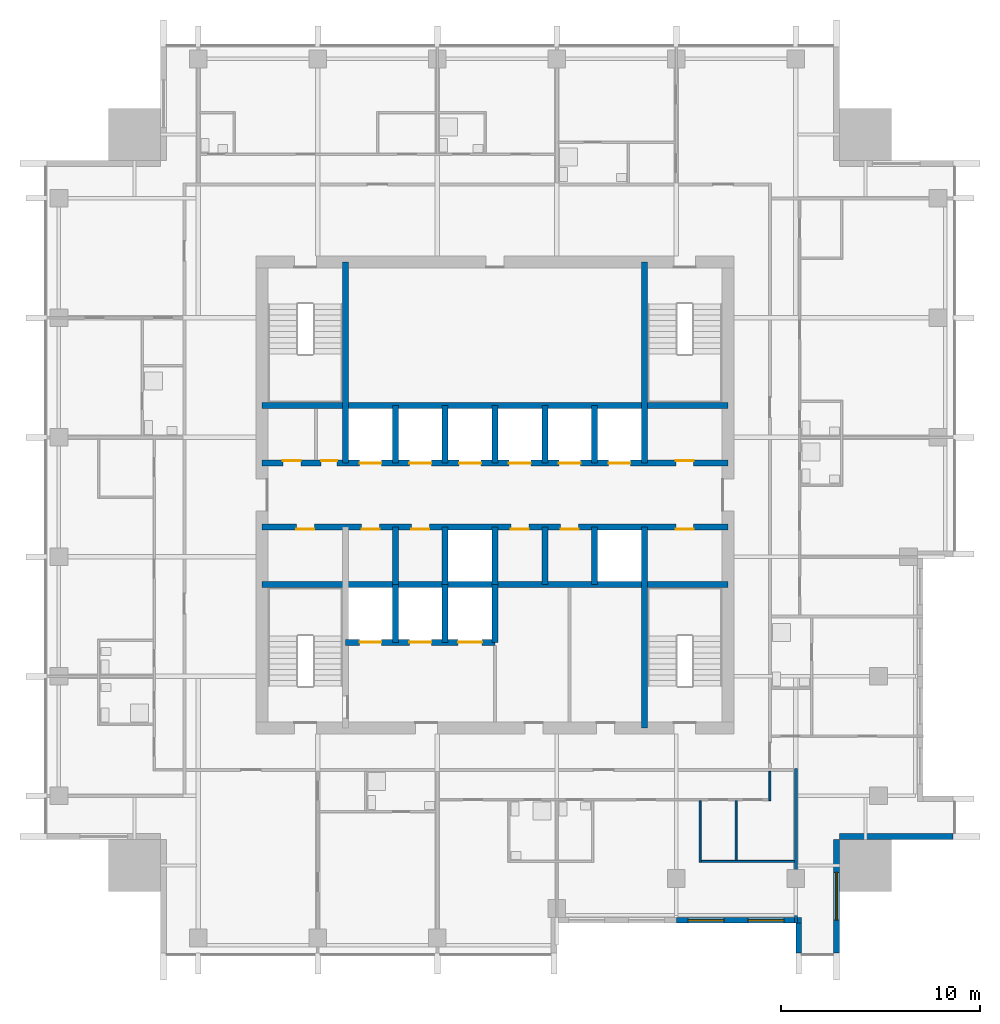
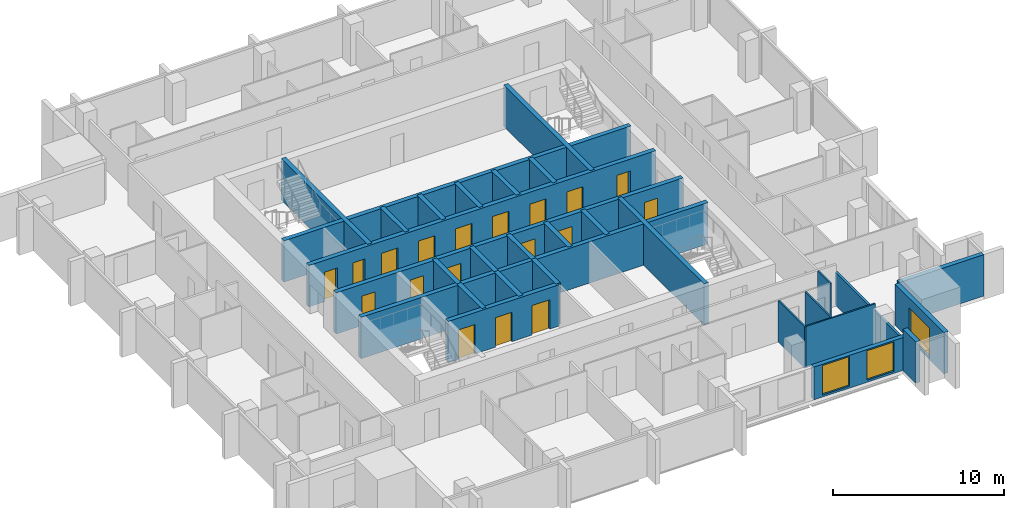
# One storey, part 5 of 10: 30 walls, 18 doors, 3 windows, 21 openings.
"""IFC4 building model written with IfcOpenShell, lengths in metres."""

import ifcopenshell
import ifcopenshell.guid

model = None  # the IFC model being written
_history = None  # IfcOwnerHistory: only IFC2X3 demands one
_inside = {}  # id of a spatial element -> (the spatial element, [elements in it])
_under = {}  # id of a project, library or spatial element -> (it, [spatial elements below it])
_declared = {}  # id of a project -> (the project, [libraries it declares])
_typed = {}  # id of a type object -> (the type object, [elements of that type])
_made_of = {}  # id of a material, layer set ... -> (it, [elements and type objects made of it])


def new_model(schema):
    """Start an empty IFC model of exactly this schema.

    Asked for "IFC4X3", IfcOpenShell would pick the latest addendum, in which some entities
    have other attributes; the version numbers below select the first issue.
    IFC2X3 requires an IfcOwnerHistory on every rooted entity: one is made here for all.
    """
    global model, _history
    if schema == "IFC4X3":
        model = ifcopenshell.file(schema_version=(4, 3, 0, 0))
    else:
        model = ifcopenshell.file(schema=schema)
    _inside.clear()
    _under.clear()
    _declared.clear()
    _typed.clear()
    _made_of.clear()
    _history = None
    if model.schema == "IFC2X3":
        org = make("IfcOrganization", Name="unknown")
        user = make(
            "IfcPersonAndOrganization",
            ThePerson=make("IfcPerson", FamilyName="unknown"),
            TheOrganization=org,
        )
        app = make(
            "IfcApplication",
            ApplicationDeveloper=org,
            Version="unknown",
            ApplicationFullName="unknown",
            ApplicationIdentifier="unknown",
        )
        _history = make(
            "IfcOwnerHistory",
            OwningUser=user,
            OwningApplication=app,
            ChangeAction="ADDED",
            CreationDate=0,
        )
    return model


def make(cls, **values):
    """One entity of the class cls with the attributes given. An attribute that is None is left unset."""
    return model.create_entity(
        cls, **{name: value for name, value in values.items() if value is not None}
    )


def rooted(cls, **values):
    """An entity with a GlobalId (a new one), such as an element, a storey or a relation."""
    return make(cls, GlobalId=ifcopenshell.guid.new(), OwnerHistory=_history, **values)


def si_unit(unit_type, name, prefix=None):
    """IfcSIUnit, for example si_unit("LENGTHUNIT", "METRE", prefix="MILLI")."""
    return make("IfcSIUnit", UnitType=unit_type, Prefix=prefix, Name=name)


def assignment(units):
    """IfcUnitAssignment: the units of a project."""
    return None if units is None else make("IfcUnitAssignment", Units=units)


def point(xyz):
    """IfcCartesianPoint."""
    return None if xyz is None else make("IfcCartesianPoint", Coordinates=xyz)


def direction(xyz):
    """IfcDirection."""
    return None if xyz is None else make("IfcDirection", DirectionRatios=xyz)


def frame(location, z_axis=None, x_axis=None):
    """IfcAxis2Placement3D, a coordinate frame: its origin and axes. An axis left out is left unset."""
    return make(
        "IfcAxis2Placement3D",
        Location=point(location),
        Axis=direction(z_axis),
        RefDirection=direction(x_axis),
    )


def frame_2d(location, x_axis=None):
    """IfcAxis2Placement2D, a coordinate frame in the plane: its origin and x axis."""
    return make(
        "IfcAxis2Placement2D", Location=point(location), RefDirection=direction(x_axis)
    )


def origin():
    """The frame at (0, 0, 0) with its axes left unset."""
    return frame((0.0, 0.0, 0.0))


def place(relative_to, where):
    """IfcLocalPlacement: puts the frame where relative to a parent placement (None: the world)."""
    return make(
        "IfcLocalPlacement", PlacementRelTo=relative_to, RelativePlacement=where
    )


def context(
    kind, dimensions, precision=None, world=None, true_north=None, identifier=None
):
    """IfcGeometricRepresentationContext, for example the 3D "Model" context."""
    return make(
        "IfcGeometricRepresentationContext",
        ContextIdentifier=identifier,
        ContextType=kind,
        CoordinateSpaceDimension=dimensions,
        Precision=precision,
        WorldCoordinateSystem=world,
        TrueNorth=true_north,
    )


def subcontext(parent, identifier, kind, view, scale=None):
    """IfcGeometricRepresentationSubContext, for example "Body" below "Model"."""
    return make(
        "IfcGeometricRepresentationSubContext",
        ContextIdentifier=identifier,
        ContextType=kind,
        ParentContext=parent,
        TargetScale=scale,
        TargetView=view,
    )


def project(units=None, contexts=None):
    """IfcProject with its units and contexts."""
    return rooted(
        "IfcProject",
        Name="project",
        RepresentationContexts=contexts,
        UnitsInContext=assignment(units),
    )


def spatial(cls, under=None, at=None, **own):
    """A site, building, storey or space (cls), placed at a placement, below another one or the project."""
    s = rooted(cls, ObjectPlacement=at, **own)
    if under is not None:
        _under.setdefault(under.id(), (under, []))[1].append(s)
    return s


def profile(cls, at=None, kind="AREA", **sizes):
    """A parametric profile (cls). Its sizes go by their IFC names, for example OverallWidth=200.0."""
    return make(cls, ProfileType=kind, Position=at, **sizes)


def rectangle(**sizes):
    """IfcRectangleProfileDef."""
    return profile("IfcRectangleProfileDef", **sizes)


def extrude(swept, where, along, depth):
    """IfcExtrudedAreaSolid: the profile swept, set in the frame where, extruded along a direction by depth."""
    return make(
        "IfcExtrudedAreaSolid",
        SweptArea=swept,
        Position=where,
        ExtrudedDirection=direction(along),
        Depth=depth,
    )


def shape(context_of_items, identifier, shape_type, items):
    """IfcShapeRepresentation: the items that make up one representation, for example the "Body"."""
    return make(
        "IfcShapeRepresentation",
        ContextOfItems=context_of_items,
        RepresentationIdentifier=identifier,
        RepresentationType=shape_type,
        Items=items,
    )


def material(Name=None, Category=None):
    """IfcMaterial."""
    return make("IfcMaterial", Name=Name, Category=Category)


def layer(
    of_material, thickness, ventilated=None, Name=None, Category=None, Priority=None
):
    """IfcMaterialLayer: one layer of a wall or slab, of a material (None: an air gap)."""
    return make(
        "IfcMaterialLayer",
        Material=of_material,
        LayerThickness=thickness,
        IsVentilated=ventilated,
        Name=Name,
        Category=Category,
        Priority=Priority,
    )


def layer_set(layers, Name=None):
    """IfcMaterialLayerSet."""
    return make("IfcMaterialLayerSet", MaterialLayers=layers, LayerSetName=Name)


def made_of(thing, what):
    """Note that an element or type object is made of a material, layer set ...; save() writes the relation."""
    if what is not None:
        _made_of.setdefault(what.id(), (what, []))[1].append(thing)
    return thing


def type_object(cls, material=None, **own):
    """A type object (cls), such as IfcWallType, which elements share."""
    return made_of(rooted(cls, **own), material)


def element(
    cls,
    number,
    at=None,
    inside=None,
    cuts=None,
    type_object=None,
    material=None,
    context=None,
    identifier="Body",
    shape_type=None,
    held_by="IfcProductDefinitionShape",
    body=None,
    shapes=None,
    **own,
):
    """One element of the class cls, such as IfcWall. Its Tag is "e" and its number.

    at: its placement. inside: the storey or other place that contains it. cuts: it is an
    opening in that element (IfcRelVoidsElement). A single representation is given by context,
    identifier, shape_type and body (its items); several are given by shapes. held_by: the class
    of the entity that holds the representations. save() writes the other relations.
    """
    e = rooted(cls, Tag="e%d" % number, ObjectPlacement=at, **own)
    if body is not None:
        shapes = [shape(context, identifier, shape_type, body)]
    if shapes is not None:
        e.Representation = make(held_by, Representations=shapes)
    if inside is not None:
        _inside.setdefault(inside.id(), (inside, []))[1].append(e)
    if cuts is not None:
        rooted(
            "IfcRelVoidsElement", RelatingBuildingElement=cuts, RelatedOpeningElement=e
        )
    if type_object is not None:
        _typed.setdefault(type_object.id(), (type_object, []))[1].append(e)
    return made_of(e, material)


def fill(opening, filler):
    """IfcRelFillsElement: the door or window that sits in an opening."""
    return rooted(
        "IfcRelFillsElement",
        RelatingOpeningElement=opening,
        RelatedBuildingElement=filler,
    )


def aggregate(whole, parts):
    """IfcRelAggregates: a whole, such as a stair, and the parts it consists of."""
    return rooted("IfcRelAggregates", RelatingObject=whole, RelatedObjects=parts)


def save(model, path):
    """Write the relations noted so far, then the file.

    IfcRelAggregates (storeys below a building ...), IfcRelContainedInSpatialStructure (elements
    in a storey), IfcRelDefinesByType, IfcRelAssociatesMaterial and IfcRelDeclares: one each for
    every whole, place, type object, material and project.
    """
    for whole, parts in _under.values():
        aggregate(whole, parts)
    for where, things in _inside.values():
        rooted(
            "IfcRelContainedInSpatialStructure",
            RelatedElements=things,
            RelatingStructure=where,
        )
    for kind, things in _typed.values():
        rooted("IfcRelDefinesByType", RelatedObjects=things, RelatingType=kind)
    for what, things in _made_of.values():
        rooted("IfcRelAssociatesMaterial", RelatedObjects=things, RelatingMaterial=what)
    for by, libraries in _declared.values():
        rooted("IfcRelDeclares", RelatingContext=by, RelatedDefinitions=libraries)
    model.write(path)


model = new_model("IFC4")

# Units and contexts
model_context = context("Model", 3, precision=1e-05, world=origin(), true_north=direction((0.0, 1.0)))
body_context = subcontext(model_context, "Body", "Model", "MODEL_VIEW")
ifc_project = project(units=[si_unit("LENGTHUNIT", "METRE"), si_unit("AREAUNIT", "SQUARE_METRE"), si_unit("VOLUMEUNIT", "CUBIC_METRE"), si_unit("PLANEANGLEUNIT", "RADIAN"), si_unit("MASSUNIT", "GRAM", prefix="KILO")], contexts=[model_context])

# Site, building, storey
site_placement = place(None, origin())
site = spatial("IfcSite", under=ifc_project, at=site_placement, CompositionType="ELEMENT")
building_placement = place(site_placement, origin())
building = spatial("IfcBuilding", under=site, at=building_placement, Name="Amberfall Residences", CompositionType="ELEMENT")
storey_placement = place(building_placement, frame((0.0, 0.0, 226.60009765625)))
storey = spatial("IfcBuildingStorey", under=building, at=storey_placement, Name="L61", CompositionType="ELEMENT", Elevation=226.60009765625)

# Wall
ifc_material_1 = material(Name="Pale stone cladding on insulated backing", Category="masonry")
ifc_layer_1 = layer(ifc_material_1, 0.300048828125)
ifc_layer_set_1 = layer_set([ifc_layer_1], Name="Bronze clad wall 300")
wall_type_1 = type_object("IfcWallType", Name="Bronze clad wall 300", PredefinedType="SOLIDWALL", material=ifc_layer_set_1)
wall_1_placement = place(storey_placement, frame((89.75, 24.0, 0.0), z_axis=(0.0, 0.0, 1.0), x_axis=(0.0, -1.0, 0.0)))
element("IfcWall", 1, at=wall_1_placement, inside=storey, type_object=wall_type_1, Name="External wall L61 S", PredefinedType="SOLIDWALL", context=body_context, shape_type="SweptSolid", body=[
    extrude(rectangle(XDim=1.5, YDim=0.300048828125, at=frame_2d((0.75, 0.0))), origin(), (0.0, 0.0, 1.0), 2.949951171875),
])

# Wall, opening, window
wall_2_placement = place(storey_placement, frame((91.64990234375, 22.5, 0.0), z_axis=(0.0, 0.0, 1.0), x_axis=(0.0, 1.0, 0.0)))
wall_2 = element("IfcWall", 2, at=wall_2_placement, inside=storey, type_object=wall_type_1, Name="External wall L61 SE", PredefinedType="SOLIDWALL", context=body_context, shape_type="SweptSolid", body=[
    extrude(rectangle(XDim=5.699951171875, YDim=0.300048828125, at=frame_2d((2.85009765625, 0.0))), origin(), (0.0, 0.0, 1.0), 2.949951171875),
])
opening_1_placement = place(wall_2_placement, frame((1.64990234375, 0.0, 0.14990234375)))
opening_1 = element("IfcOpeningElement", 3, at=opening_1_placement, cuts=wall_2, Name="Opening WN5", PredefinedType="OPENING", context=body_context, shape_type="SweptSolid", body=[
    extrude(rectangle(XDim=2.39990234375, YDim=2.10009765625, at=frame_2d((1.199951171875, 1.050048828125))), frame((0.0, 0.159912109375, 0.0), z_axis=(0.0, -1.0, 0.0), x_axis=(1.0, 0.0, 0.0)), (0.0, 0.0, 1.0), 0.320068359375),
])
ifc_material_2 = material(Name="Bronze aluminium framed glazing", Category="aluminium")
window_type_1 = type_object("IfcWindowType", Name="Glazed opening 2400 x 2100 bronze", PartitioningType="DOUBLE_PANEL_VERTICAL", PredefinedType="WINDOW", material=ifc_material_2)
window_1_placement = place(opening_1_placement, origin())
window_1 = element("IfcWindow", 4, at=window_1_placement, inside=storey, type_object=window_type_1, Name="Window L61 SE", OverallHeight=2.10009765625, OverallWidth=2.39990234375, PartitioningType="DOUBLE_PANEL_VERTICAL", PredefinedType="WINDOW", context=body_context, shape_type="SweptSolid", body=[
    extrude(rectangle(XDim=2.39990234375, YDim=2.10009765625, at=frame_2d((1.199951171875, 1.050048828125))), frame((0.0, 0.030029296875, 0.0), z_axis=(0.0, -1.0, 0.0), x_axis=(1.0, 0.0, 0.0)), (0.0, 0.0, 1.0), 0.06005859375),
])
fill(opening_1, window_1)

# Wall
wall_3_placement = place(storey_placement, frame((91.800048828125, 28.35009765625, 0.0), z_axis=(0.0, 0.0, 1.0), x_axis=(1.0, 0.0, 0.0)))
element("IfcWall", 5, at=wall_3_placement, inside=storey, type_object=wall_type_1, Name="External wall L61 SE", PredefinedType="SOLIDWALL", context=body_context, shape_type="SweptSolid", body=[
    extrude(rectangle(XDim=5.699951171875, YDim=0.300048828125, at=frame_2d((2.85009765625, 0.0))), origin(), (0.0, 0.0, 1.0), 2.949951171875),
])

# Wall, openings, windows
wall_4_placement = place(storey_placement, frame((83.60009765625, 24.14990234375, 0.0), z_axis=(0.0, 0.0, 1.0), x_axis=(1.0, 0.0, 0.0)))
wall_4 = element("IfcWall", 6, at=wall_4_placement, inside=storey, type_object=wall_type_1, Name="Stone wall L61 S", PredefinedType="SOLIDWALL", context=body_context, shape_type="SweptSolid", body=[
    extrude(rectangle(XDim=6.2998046875, YDim=0.300048828125, at=frame_2d((3.14990234375, 0.0))), origin(), (0.0, 0.0, 1.0), 2.34033203125),
])
opening_2_placement = place(wall_4_placement, frame((0.60009765625, 0.0, 0.14990234375)))
opening_2 = element("IfcOpeningElement", 7, at=opening_2_placement, cuts=wall_4, Name="Opening WN6", PredefinedType="OPENING", context=body_context, shape_type="SweptSolid", body=[
    extrude(rectangle(XDim=1.800048828125, YDim=2.10009765625, at=frame_2d((0.89990234375, 1.050048828125))), frame((0.0, 0.159912109375, 0.0), z_axis=(0.0, -1.0, 0.0), x_axis=(1.0, 0.0, 0.0)), (0.0, 0.0, 1.0), 0.320068359375),
])
opening_3_placement = place(wall_4_placement, frame((3.60009765625, 0.0, 0.14990234375)))
opening_3 = element("IfcOpeningElement", 8, at=opening_3_placement, cuts=wall_4, Name="Opening WN6", PredefinedType="OPENING", context=body_context, shape_type="SweptSolid", body=[
    extrude(rectangle(XDim=1.800048828125, YDim=2.10009765625, at=frame_2d((0.89990234375, 1.050048828125))), frame((0.0, 0.159912109375, 0.0), z_axis=(0.0, -1.0, 0.0), x_axis=(1.0, 0.0, 0.0)), (0.0, 0.0, 1.0), 0.320068359375),
])
window_type_2 = type_object("IfcWindowType", Name="Glazed opening 1800 x 2100 bronze", PartitioningType="DOUBLE_PANEL_VERTICAL", PredefinedType="WINDOW", material=ifc_material_2)
window_2_placement = place(opening_2_placement, origin())
window_2 = element("IfcWindow", 9, at=window_2_placement, inside=storey, type_object=window_type_2, Name="Window L61 S", OverallHeight=2.10009765625, OverallWidth=1.800048828125, PartitioningType="DOUBLE_PANEL_VERTICAL", PredefinedType="WINDOW", context=body_context, shape_type="SweptSolid", body=[
    extrude(rectangle(XDim=1.800048828125, YDim=2.10009765625, at=frame_2d((0.89990234375, 1.050048828125))), frame((0.0, 0.030029296875, 0.0), z_axis=(0.0, -1.0, 0.0), x_axis=(1.0, 0.0, 0.0)), (0.0, 0.0, 1.0), 0.06005859375),
])
fill(opening_2, window_2)
window_3_placement = place(opening_3_placement, origin())
window_3 = element("IfcWindow", 10, at=window_3_placement, inside=storey, type_object=window_type_2, Name="Window L61 S", OverallHeight=2.10009765625, OverallWidth=1.800048828125, PartitioningType="DOUBLE_PANEL_VERTICAL", PredefinedType="WINDOW", context=body_context, shape_type="SweptSolid", body=[
    extrude(rectangle(XDim=1.800048828125, YDim=2.10009765625, at=frame_2d((0.89990234375, 1.050048828125))), frame((0.0, 0.030029296875, 0.0), z_axis=(0.0, -1.0, 0.0), x_axis=(1.0, 0.0, 0.0)), (0.0, 0.0, 1.0), 0.06005859375),
])
fill(opening_3, window_3)

# Wall
ifc_material_3 = material(Name="Concrete C55", Category="concrete")
ifc_layer_2 = layer(ifc_material_3, 0.300048828125)
ifc_layer_set_2 = layer_set([ifc_layer_2], Name="Core wall 300 C55")
wall_type_2 = type_object("IfcWallType", Name="Core wall 300 C55", PredefinedType="SHEAR", material=ifc_layer_set_2)
wall_5_placement = place(storey_placement, frame((62.800048828125, 41.0, 0.0), z_axis=(0.0, 0.0, 1.0), x_axis=(1.0, 0.0, 0.0)))
element("IfcWall", 11, at=wall_5_placement, inside=storey, type_object=wall_type_2, Name="Core wall RW8 L61 H75", PredefinedType="SHEAR", context=body_context, shape_type="SweptSolid", body=[
    extrude(rectangle(XDim=23.39990234375, YDim=0.300048828125, at=frame_2d((11.699951171875, 0.0))), origin(), (0.0, 0.0, 1.0), 2.949951171875),
])

# Wall, openings, doors
wall_6_placement = place(storey_placement, frame((62.800048828125, 43.89990234375, 0.0), z_axis=(0.0, 0.0, 1.0), x_axis=(1.0, 0.0, 0.0)))
wall_6 = element("IfcWall", 12, at=wall_6_placement, inside=storey, type_object=wall_type_2, Name="Core wall RW8 L61 H104", PredefinedType="SHEAR", context=body_context, shape_type="SweptSolid", body=[
    extrude(rectangle(XDim=23.39990234375, YDim=0.300048828125, at=frame_2d((11.699951171875, 0.0))), origin(), (0.0, 0.0, 1.0), 2.949951171875),
])
opening_4_placement = place(wall_6_placement, frame((1.72509765625, 0.0, 0.0)))
opening_4 = element("IfcOpeningElement", 13, at=opening_4_placement, cuts=wall_6, Name="Opening RD1", PredefinedType="OPENING", context=body_context, shape_type="SweptSolid", body=[
    extrude(rectangle(XDim=0.89990234375, YDim=2.10009765625, at=frame_2d((0.449951171875, 1.050048828125))), frame((0.0, 0.159912109375, 0.0), z_axis=(0.0, -1.0, 0.0), x_axis=(1.0, 0.0, 0.0)), (0.0, 0.0, 1.0), 0.320068359375),
])
opening_5_placement = place(wall_6_placement, frame((20.77490234375, 0.0, 0.0)))
opening_5 = element("IfcOpeningElement", 14, at=opening_5_placement, cuts=wall_6, Name="Opening RD1", PredefinedType="OPENING", context=body_context, shape_type="SweptSolid", body=[
    extrude(rectangle(XDim=0.89990234375, YDim=2.10009765625, at=frame_2d((0.449951171875, 1.050048828125))), frame((0.0, 0.159912109375, 0.0), z_axis=(0.0, -1.0, 0.0), x_axis=(1.0, 0.0, 0.0)), (0.0, 0.0, 1.0), 0.320068359375),
])
opening_6_placement = place(wall_6_placement, frame((5.0, 0.0, 0.0)))
opening_6 = element("IfcOpeningElement", 15, at=opening_6_placement, cuts=wall_6, Name="Opening RD1", PredefinedType="OPENING", context=body_context, shape_type="SweptSolid", body=[
    extrude(rectangle(XDim=0.89990234375, YDim=2.10009765625, at=frame_2d((0.449951171875, 1.050048828125))), frame((0.0, 0.159912109375, 0.0), z_axis=(0.0, -1.0, 0.0), x_axis=(1.0, 0.0, 0.0)), (0.0, 0.0, 1.0), 0.320068359375),
])
opening_7_placement = place(wall_6_placement, frame((7.5, 0.0, 0.0)))
opening_7 = element("IfcOpeningElement", 16, at=opening_7_placement, cuts=wall_6, Name="Opening RD1", PredefinedType="OPENING", context=body_context, shape_type="SweptSolid", body=[
    extrude(rectangle(XDim=0.89990234375, YDim=2.10009765625, at=frame_2d((0.449951171875, 1.050048828125))), frame((0.0, 0.159912109375, 0.0), z_axis=(0.0, -1.0, 0.0), x_axis=(1.0, 0.0, 0.0)), (0.0, 0.0, 1.0), 0.320068359375),
])
opening_8_placement = place(wall_6_placement, frame((12.5, 0.0, 0.0)))
opening_8 = element("IfcOpeningElement", 17, at=opening_8_placement, cuts=wall_6, Name="Opening RD1", PredefinedType="OPENING", context=body_context, shape_type="SweptSolid", body=[
    extrude(rectangle(XDim=0.89990234375, YDim=2.10009765625, at=frame_2d((0.449951171875, 1.050048828125))), frame((0.0, 0.159912109375, 0.0), z_axis=(0.0, -1.0, 0.0), x_axis=(1.0, 0.0, 0.0)), (0.0, 0.0, 1.0), 0.320068359375),
])
opening_9_placement = place(wall_6_placement, frame((15.0, 0.0, 0.0)))
opening_9 = element("IfcOpeningElement", 18, at=opening_9_placement, cuts=wall_6, Name="Opening RD1", PredefinedType="OPENING", context=body_context, shape_type="SweptSolid", body=[
    extrude(rectangle(XDim=0.89990234375, YDim=2.10009765625, at=frame_2d((0.449951171875, 1.050048828125))), frame((0.0, 0.159912109375, 0.0), z_axis=(0.0, -1.0, 0.0), x_axis=(1.0, 0.0, 0.0)), (0.0, 0.0, 1.0), 0.320068359375),
])
ifc_material_4 = material(Name="Steel fire door set", Category="steel")
door_type_1 = type_object("IfcDoorType", Name="Service room door 900 x 2100", OperationType="SINGLE_SWING_LEFT", PredefinedType="DOOR", material=ifc_material_4)
door_1_placement = place(opening_4_placement, origin())
door_1 = element("IfcDoor", 19, at=door_1_placement, inside=storey, type_object=door_type_1, Name="RD1 L61", OperationType="SINGLE_SWING_LEFT", OverallHeight=2.10009765625, OverallWidth=0.89990234375, PredefinedType="DOOR", context=body_context, shape_type="SweptSolid", body=[
    extrude(rectangle(XDim=0.89990234375, YDim=2.10009765625, at=frame_2d((0.449951171875, 1.050048828125))), frame((0.0, -0.08740234375, 0.0), z_axis=(0.0, -1.0, 0.0), x_axis=(1.0, 0.0, 0.0)), (0.0, 0.0, 1.0), 0.050048828125),
])
fill(opening_4, door_1)
door_2_placement = place(opening_5_placement, origin())
door_2 = element("IfcDoor", 20, at=door_2_placement, inside=storey, type_object=door_type_1, Name="RD1 L61", OperationType="SINGLE_SWING_LEFT", OverallHeight=2.10009765625, OverallWidth=0.89990234375, PredefinedType="DOOR", context=body_context, shape_type="SweptSolid", body=[
    extrude(rectangle(XDim=0.89990234375, YDim=2.10009765625, at=frame_2d((0.449951171875, 1.050048828125))), frame((0.0, -0.08740234375, 0.0), z_axis=(0.0, -1.0, 0.0), x_axis=(1.0, 0.0, 0.0)), (0.0, 0.0, 1.0), 0.050048828125),
])
fill(opening_5, door_2)
door_3_placement = place(opening_6_placement, origin())
door_3 = element("IfcDoor", 21, at=door_3_placement, inside=storey, type_object=door_type_1, Name="RD1 L61", OperationType="SINGLE_SWING_RIGHT", OverallHeight=2.10009765625, OverallWidth=0.89990234375, PredefinedType="DOOR", context=body_context, shape_type="SweptSolid", body=[
    extrude(rectangle(XDim=0.89990234375, YDim=2.10009765625, at=frame_2d((0.449951171875, 1.050048828125))), frame((0.0, -0.08740234375, 0.0), z_axis=(0.0, -1.0, 0.0), x_axis=(1.0, 0.0, 0.0)), (0.0, 0.0, 1.0), 0.050048828125),
])
fill(opening_6, door_3)
door_4_placement = place(opening_7_placement, origin())
door_4 = element("IfcDoor", 22, at=door_4_placement, inside=storey, type_object=door_type_1, Name="RD1 L61", OperationType="SINGLE_SWING_LEFT", OverallHeight=2.10009765625, OverallWidth=0.89990234375, PredefinedType="DOOR", context=body_context, shape_type="SweptSolid", body=[
    extrude(rectangle(XDim=0.89990234375, YDim=2.10009765625, at=frame_2d((0.449951171875, 1.050048828125))), frame((0.0, -0.08740234375, 0.0), z_axis=(0.0, -1.0, 0.0), x_axis=(1.0, 0.0, 0.0)), (0.0, 0.0, 1.0), 0.050048828125),
])
fill(opening_7, door_4)
door_5_placement = place(opening_8_placement, origin())
door_5 = element("IfcDoor", 23, at=door_5_placement, inside=storey, type_object=door_type_1, Name="RD1 L61", OperationType="SINGLE_SWING_LEFT", OverallHeight=2.10009765625, OverallWidth=0.89990234375, PredefinedType="DOOR", context=body_context, shape_type="SweptSolid", body=[
    extrude(rectangle(XDim=0.89990234375, YDim=2.10009765625, at=frame_2d((0.449951171875, 1.050048828125))), frame((0.0, -0.08740234375, 0.0), z_axis=(0.0, -1.0, 0.0), x_axis=(1.0, 0.0, 0.0)), (0.0, 0.0, 1.0), 0.050048828125),
])
fill(opening_8, door_5)
door_6_placement = place(opening_9_placement, origin())
door_6 = element("IfcDoor", 24, at=door_6_placement, inside=storey, type_object=door_type_1, Name="RD1 L61", OperationType="SINGLE_SWING_RIGHT", OverallHeight=2.10009765625, OverallWidth=0.89990234375, PredefinedType="DOOR", context=body_context, shape_type="SweptSolid", body=[
    extrude(rectangle(XDim=0.89990234375, YDim=2.10009765625, at=frame_2d((0.449951171875, 1.050048828125))), frame((0.0, -0.08740234375, 0.0), z_axis=(0.0, -1.0, 0.0), x_axis=(1.0, 0.0, 0.0)), (0.0, 0.0, 1.0), 0.050048828125),
])
fill(opening_9, door_6)

wall_7_placement = place(storey_placement, frame((62.800048828125, 47.10009765625, 0.0), z_axis=(0.0, 0.0, 1.0), x_axis=(1.0, 0.0, 0.0)))
wall_7 = element("IfcWall", 25, at=wall_7_placement, inside=storey, type_object=wall_type_2, Name="Core wall RW8 L61 H136", PredefinedType="SHEAR", context=body_context, shape_type="SweptSolid", body=[
    extrude(rectangle(XDim=23.39990234375, YDim=0.300048828125, at=frame_2d((11.699951171875, 0.0))), origin(), (0.0, 0.0, 1.0), 2.949951171875),
])
opening_10_placement = place(wall_7_placement, frame((1.050048828125, 0.0, 0.0)))
opening_10 = element("IfcOpeningElement", 26, at=opening_10_placement, cuts=wall_7, Name="Opening RD1", PredefinedType="OPENING", context=body_context, shape_type="SweptSolid", body=[
    extrude(rectangle(XDim=0.89990234375, YDim=2.10009765625, at=frame_2d((0.449951171875, 1.050048828125))), frame((0.0, 0.159912109375, 0.0), z_axis=(0.0, -1.0, 0.0), x_axis=(1.0, 0.0, 0.0)), (0.0, 0.0, 1.0), 0.320068359375),
])
opening_11_placement = place(wall_7_placement, frame((2.97509765625, 0.0, 0.0)))
opening_11 = element("IfcOpeningElement", 27, at=opening_11_placement, cuts=wall_7, Name="Opening RD2", PredefinedType="OPENING", context=body_context, shape_type="SweptSolid", body=[
    extrude(rectangle(XDim=0.800048828125, YDim=2.10009765625, at=frame_2d((0.39990234375, 1.050048828125))), frame((0.0, 0.159912109375, 0.0), z_axis=(0.0, -1.0, 0.0), x_axis=(1.0, 0.0, 0.0)), (0.0, 0.0, 1.0), 0.320068359375),
])
opening_12_placement = place(wall_7_placement, frame((20.77490234375, 0.0, 0.0)))
opening_12 = element("IfcOpeningElement", 28, at=opening_12_placement, cuts=wall_7, Name="Opening RD1", PredefinedType="OPENING", context=body_context, shape_type="SweptSolid", body=[
    extrude(rectangle(XDim=0.89990234375, YDim=2.10009765625, at=frame_2d((0.449951171875, 1.050048828125))), frame((0.0, 0.159912109375, 0.0), z_axis=(0.0, -1.0, 0.0), x_axis=(1.0, 0.0, 0.0)), (0.0, 0.0, 1.0), 0.320068359375),
])
opening_13_placement = place(wall_7_placement, frame((4.89990234375, 0.0, 0.0)))
opening_13 = element("IfcOpeningElement", 29, at=opening_13_placement, cuts=wall_7, Name="Opening LD1", PredefinedType="OPENING", context=body_context, shape_type="SweptSolid", body=[
    extrude(rectangle(XDim=1.10009765625, YDim=2.10009765625, at=frame_2d((0.550048828125, 1.050048828125))), frame((0.0, 0.159912109375, 0.0), z_axis=(0.0, -1.0, 0.0), x_axis=(1.0, 0.0, 0.0)), (0.0, 0.0, 1.0), 0.320068359375),
])
opening_14_placement = place(wall_7_placement, frame((7.39990234375, 0.0, 0.0)))
opening_14 = element("IfcOpeningElement", 30, at=opening_14_placement, cuts=wall_7, Name="Opening LD1", PredefinedType="OPENING", context=body_context, shape_type="SweptSolid", body=[
    extrude(rectangle(XDim=1.10009765625, YDim=2.10009765625, at=frame_2d((0.550048828125, 1.050048828125))), frame((0.0, 0.159912109375, 0.0), z_axis=(0.0, -1.0, 0.0), x_axis=(1.0, 0.0, 0.0)), (0.0, 0.0, 1.0), 0.320068359375),
])
opening_15_placement = place(wall_7_placement, frame((9.89990234375, 0.0, 0.0)))
opening_15 = element("IfcOpeningElement", 31, at=opening_15_placement, cuts=wall_7, Name="Opening LD1", PredefinedType="OPENING", context=body_context, shape_type="SweptSolid", body=[
    extrude(rectangle(XDim=1.10009765625, YDim=2.10009765625, at=frame_2d((0.550048828125, 1.050048828125))), frame((0.0, 0.159912109375, 0.0), z_axis=(0.0, -1.0, 0.0), x_axis=(1.0, 0.0, 0.0)), (0.0, 0.0, 1.0), 0.320068359375),
])
opening_16_placement = place(wall_7_placement, frame((12.39990234375, 0.0, 0.0)))
opening_16 = element("IfcOpeningElement", 32, at=opening_16_placement, cuts=wall_7, Name="Opening LD1", PredefinedType="OPENING", context=body_context, shape_type="SweptSolid", body=[
    extrude(rectangle(XDim=1.10009765625, YDim=2.10009765625, at=frame_2d((0.550048828125, 1.050048828125))), frame((0.0, 0.159912109375, 0.0), z_axis=(0.0, -1.0, 0.0), x_axis=(1.0, 0.0, 0.0)), (0.0, 0.0, 1.0), 0.320068359375),
])
opening_17_placement = place(wall_7_placement, frame((14.89990234375, 0.0, 0.0)))
opening_17 = element("IfcOpeningElement", 33, at=opening_17_placement, cuts=wall_7, Name="Opening LD1", PredefinedType="OPENING", context=body_context, shape_type="SweptSolid", body=[
    extrude(rectangle(XDim=1.10009765625, YDim=2.10009765625, at=frame_2d((0.550048828125, 1.050048828125))), frame((0.0, 0.159912109375, 0.0), z_axis=(0.0, -1.0, 0.0), x_axis=(1.0, 0.0, 0.0)), (0.0, 0.0, 1.0), 0.320068359375),
])
opening_18_placement = place(wall_7_placement, frame((17.39990234375, 0.0, 0.0)))
opening_18 = element("IfcOpeningElement", 34, at=opening_18_placement, cuts=wall_7, Name="Opening LD1", PredefinedType="OPENING", context=body_context, shape_type="SweptSolid", body=[
    extrude(rectangle(XDim=1.10009765625, YDim=2.10009765625, at=frame_2d((0.550048828125, 1.050048828125))), frame((0.0, 0.159912109375, 0.0), z_axis=(0.0, -1.0, 0.0), x_axis=(1.0, 0.0, 0.0)), (0.0, 0.0, 1.0), 0.320068359375),
])
door_type_2 = type_object("IfcDoorType", Name="Lift landing door 1100 x 2100", OperationType="DOUBLE_DOOR_SLIDING", PredefinedType="DOOR", material=ifc_material_4)
door_7_placement = place(opening_13_placement, origin())
door_7 = element("IfcDoor", 35, at=door_7_placement, inside=storey, type_object=door_type_2, Name="Landing door HP1 L61", OperationType="DOUBLE_DOOR_SLIDING", OverallHeight=2.10009765625, OverallWidth=1.10009765625, PredefinedType="DOOR", context=body_context, shape_type="SweptSolid", body=[
    extrude(rectangle(XDim=1.10009765625, YDim=2.10009765625, at=frame_2d((0.550048828125, 1.050048828125))), frame((0.0, 0.02490234375, 0.0), z_axis=(0.0, -1.0, 0.0), x_axis=(1.0, 0.0, 0.0)), (0.0, 0.0, 1.0), 0.050048828125),
])
fill(opening_13, door_7)
door_8_placement = place(opening_14_placement, origin())
door_8 = element("IfcDoor", 36, at=door_8_placement, inside=storey, type_object=door_type_2, Name="Landing door HP2 L61", OperationType="DOUBLE_DOOR_SLIDING", OverallHeight=2.10009765625, OverallWidth=1.10009765625, PredefinedType="DOOR", context=body_context, shape_type="SweptSolid", body=[
    extrude(rectangle(XDim=1.10009765625, YDim=2.10009765625, at=frame_2d((0.550048828125, 1.050048828125))), frame((0.0, 0.02490234375, 0.0), z_axis=(0.0, -1.0, 0.0), x_axis=(1.0, 0.0, 0.0)), (0.0, 0.0, 1.0), 0.050048828125),
])
fill(opening_14, door_8)
door_9_placement = place(opening_15_placement, origin())
door_9 = element("IfcDoor", 37, at=door_9_placement, inside=storey, type_object=door_type_2, Name="Landing door HP3 L61", OperationType="DOUBLE_DOOR_SLIDING", OverallHeight=2.10009765625, OverallWidth=1.10009765625, PredefinedType="DOOR", context=body_context, shape_type="SweptSolid", body=[
    extrude(rectangle(XDim=1.10009765625, YDim=2.10009765625, at=frame_2d((0.550048828125, 1.050048828125))), frame((0.0, 0.02490234375, 0.0), z_axis=(0.0, -1.0, 0.0), x_axis=(1.0, 0.0, 0.0)), (0.0, 0.0, 1.0), 0.050048828125),
])
fill(opening_15, door_9)
door_10_placement = place(opening_16_placement, origin())
door_10 = element("IfcDoor", 38, at=door_10_placement, inside=storey, type_object=door_type_2, Name="Landing door HP4 L61", OperationType="DOUBLE_DOOR_SLIDING", OverallHeight=2.10009765625, OverallWidth=1.10009765625, PredefinedType="DOOR", context=body_context, shape_type="SweptSolid", body=[
    extrude(rectangle(XDim=1.10009765625, YDim=2.10009765625, at=frame_2d((0.550048828125, 1.050048828125))), frame((0.0, 0.02490234375, 0.0), z_axis=(0.0, -1.0, 0.0), x_axis=(1.0, 0.0, 0.0)), (0.0, 0.0, 1.0), 0.050048828125),
])
fill(opening_16, door_10)
door_11_placement = place(opening_17_placement, origin())
door_11 = element("IfcDoor", 39, at=door_11_placement, inside=storey, type_object=door_type_2, Name="Landing door HP5 L61", OperationType="DOUBLE_DOOR_SLIDING", OverallHeight=2.10009765625, OverallWidth=1.10009765625, PredefinedType="DOOR", context=body_context, shape_type="SweptSolid", body=[
    extrude(rectangle(XDim=1.10009765625, YDim=2.10009765625, at=frame_2d((0.550048828125, 1.050048828125))), frame((0.0, 0.02490234375, 0.0), z_axis=(0.0, -1.0, 0.0), x_axis=(1.0, 0.0, 0.0)), (0.0, 0.0, 1.0), 0.050048828125),
])
fill(opening_17, door_11)
door_12_placement = place(opening_18_placement, origin())
door_12 = element("IfcDoor", 40, at=door_12_placement, inside=storey, type_object=door_type_2, Name="Landing door HP6 L61", OperationType="DOUBLE_DOOR_SLIDING", OverallHeight=2.10009765625, OverallWidth=1.10009765625, PredefinedType="DOOR", context=body_context, shape_type="SweptSolid", body=[
    extrude(rectangle(XDim=1.10009765625, YDim=2.10009765625, at=frame_2d((0.550048828125, 1.050048828125))), frame((0.0, 0.02490234375, 0.0), z_axis=(0.0, -1.0, 0.0), x_axis=(1.0, 0.0, 0.0)), (0.0, 0.0, 1.0), 0.050048828125),
])
fill(opening_18, door_12)
door_type_3 = type_object("IfcDoorType", Name="Service room door 800 x 2100", OperationType="SINGLE_SWING_LEFT", PredefinedType="DOOR", material=ifc_material_4)
door_13_placement = place(opening_11_placement, origin())
door_13 = element("IfcDoor", 41, at=door_13_placement, inside=storey, type_object=door_type_3, Name="RD2 L61", OperationType="SINGLE_SWING_RIGHT", OverallHeight=2.10009765625, OverallWidth=0.800048828125, PredefinedType="DOOR", context=body_context, shape_type="SweptSolid", body=[
    extrude(rectangle(XDim=0.800048828125, YDim=2.10009765625, at=frame_2d((0.39990234375, 1.050048828125))), frame((0.0, 0.1376953125, 0.0), z_axis=(0.0, -1.0, 0.0), x_axis=(1.0, 0.0, 0.0)), (0.0, 0.0, 1.0), 0.050048828125),
])
fill(opening_11, door_13)
door_14_placement = place(opening_10_placement, origin())
door_14 = element("IfcDoor", 42, at=door_14_placement, inside=storey, type_object=door_type_1, Name="RD1 L61", OperationType="SINGLE_SWING_LEFT", OverallHeight=2.10009765625, OverallWidth=0.89990234375, PredefinedType="DOOR", context=body_context, shape_type="SweptSolid", body=[
    extrude(rectangle(XDim=0.89990234375, YDim=2.10009765625, at=frame_2d((0.449951171875, 1.050048828125))), frame((0.0, 0.1376953125, 0.0), z_axis=(0.0, -1.0, 0.0), x_axis=(1.0, 0.0, 0.0)), (0.0, 0.0, 1.0), 0.050048828125),
])
fill(opening_10, door_14)
door_15_placement = place(opening_12_placement, origin())
door_15 = element("IfcDoor", 43, at=door_15_placement, inside=storey, type_object=door_type_1, Name="RD1 L61", OperationType="SINGLE_SWING_LEFT", OverallHeight=2.10009765625, OverallWidth=0.89990234375, PredefinedType="DOOR", context=body_context, shape_type="SweptSolid", body=[
    extrude(rectangle(XDim=0.89990234375, YDim=2.10009765625, at=frame_2d((0.449951171875, 1.050048828125))), frame((0.0, 0.1376953125, 0.0), z_axis=(0.0, -1.0, 0.0), x_axis=(1.0, 0.0, 0.0)), (0.0, 0.0, 1.0), 0.050048828125),
])
fill(opening_12, door_15)

# Walls
wall_8_placement = place(storey_placement, frame((62.800048828125, 50.0, 0.0), z_axis=(0.0, 0.0, 1.0), x_axis=(1.0, 0.0, 0.0)))
element("IfcWall", 44, at=wall_8_placement, inside=storey, type_object=wall_type_2, Name="Core wall RW8 L61 H165", PredefinedType="SHEAR", context=body_context, shape_type="SweptSolid", body=[
    extrude(rectangle(XDim=23.39990234375, YDim=0.300048828125, at=frame_2d((11.699951171875, 0.0))), origin(), (0.0, 0.0, 1.0), 2.949951171875),
])
for number, where, z_axis, x_axis, name in (
    (45, (67.0, 47.10009765625, 0.0), (0.0, 0.0, 1.0), (0.0, 1.0, 0.0), "Core wall RW8 L61 V45N"),
    (46, (82.0, 33.800048828125, 0.0), (0.0, 0.0, 1.0), (0.0, 1.0, 0.0), "Core wall RW8 L61 V195S"),
    (47, (82.0, 47.10009765625, 0.0), (0.0, 0.0, 1.0), (0.0, 1.0, 0.0), "Core wall RW8 L61 V195N"),
):
    element("IfcWall", number, at=place(storey_placement, frame(where, z_axis=z_axis, x_axis=x_axis)), inside=storey, type_object=wall_type_2, Name=name, PredefinedType="SHEAR", context=body_context, shape_type="SweptSolid", body=[
        extrude(rectangle(XDim=10.099853515625, YDim=0.300048828125, at=frame_2d((5.0498046875, 0.0))), origin(), (0.0, 0.0, 1.0), 2.949951171875),
    ])
for number, where, z_axis, x_axis, name in (
    (48, (69.5, 41.0, 0.0), (0.0, 0.0, 1.0), (0.0, 1.0, 0.0), "Core wall RW8 L61 LPD1"),
    (49, (69.5, 47.10009765625, 0.0), (0.0, 0.0, 1.0), (0.0, 1.0, 0.0), "Core wall RW8 L61 HPD1"),
    (50, (72.0, 41.0, 0.0), (0.0, 0.0, 1.0), (0.0, 1.0, 0.0), "Core wall RW8 L61 LPD2"),
    (51, (72.0, 47.10009765625, 0.0), (0.0, 0.0, 1.0), (0.0, 1.0, 0.0), "Core wall RW8 L61 HPD2"),
    (52, (74.5, 41.0, 0.0), (0.0, 0.0, 1.0), (0.0, 1.0, 0.0), "Core wall RW8 L61 LPD3"),
    (53, (74.5, 47.10009765625, 0.0), (0.0, 0.0, 1.0), (0.0, 1.0, 0.0), "Core wall RW8 L61 HPD3"),
    (54, (77.0, 41.0, 0.0), (0.0, 0.0, 1.0), (0.0, 1.0, 0.0), "Core wall RW8 L61 LPD4"),
    (55, (77.0, 47.10009765625, 0.0), (0.0, 0.0, 1.0), (0.0, 1.0, 0.0), "Core wall RW8 L61 HPD4"),
    (56, (79.5, 41.0, 0.0), (0.0, 0.0, 1.0), (0.0, 1.0, 0.0), "Core wall RW8 L61 LPD5"),
    (57, (79.5, 47.10009765625, 0.0), (0.0, 0.0, 1.0), (0.0, 1.0, 0.0), "Core wall RW8 L61 HPD5"),
):
    element("IfcWall", number, at=place(storey_placement, frame(where, z_axis=z_axis, x_axis=x_axis)), inside=storey, type_object=wall_type_2, Name=name, PredefinedType="SHEAR", context=body_context, shape_type="SweptSolid", body=[
        extrude(rectangle(XDim=2.89990234375, YDim=0.300048828125, at=frame_2d((1.449951171875, 0.0))), origin(), (0.0, 0.0, 1.0), 2.949951171875),
    ])

# Wall, openings, doors
wall_9_placement = place(storey_placement, frame((67.0, 38.10009765625, 0.0), z_axis=(0.0, 0.0, 1.0), x_axis=(1.0, 0.0, 0.0)))
wall_9 = element("IfcWall", 58, at=wall_9_placement, inside=storey, type_object=wall_type_2, Name="Core wall RW8 L61 FFF", PredefinedType="SHEAR", context=body_context, shape_type="SweptSolid", body=[
    extrude(rectangle(XDim=7.5, YDim=0.300048828125, at=frame_2d((3.75, 0.0))), origin(), (0.0, 0.0, 1.0), 2.949951171875),
])
opening_19_placement = place(wall_9_placement, frame((0.699951171875, 0.0, 0.0)))
opening_19 = element("IfcOpeningElement", 59, at=opening_19_placement, cuts=wall_9, Name="Opening LD2", PredefinedType="OPENING", context=body_context, shape_type="SweptSolid", body=[
    extrude(rectangle(XDim=1.10009765625, YDim=2.10009765625, at=frame_2d((0.550048828125, 1.050048828125))), frame((0.0, 0.159912109375, 0.0), z_axis=(0.0, -1.0, 0.0), x_axis=(1.0, 0.0, 0.0)), (0.0, 0.0, 1.0), 0.320068359375),
])
opening_20_placement = place(wall_9_placement, frame((3.199951171875, 0.0, 0.0)))
opening_20 = element("IfcOpeningElement", 60, at=opening_20_placement, cuts=wall_9, Name="Opening LD2", PredefinedType="OPENING", context=body_context, shape_type="SweptSolid", body=[
    extrude(rectangle(XDim=1.10009765625, YDim=2.10009765625, at=frame_2d((0.550048828125, 1.050048828125))), frame((0.0, 0.159912109375, 0.0), z_axis=(0.0, -1.0, 0.0), x_axis=(1.0, 0.0, 0.0)), (0.0, 0.0, 1.0), 0.320068359375),
])
opening_21_placement = place(wall_9_placement, frame((5.64990234375, 0.0, 0.0)))
opening_21 = element("IfcOpeningElement", 61, at=opening_21_placement, cuts=wall_9, Name="Opening LD3", PredefinedType="OPENING", context=body_context, shape_type="SweptSolid", body=[
    extrude(rectangle(XDim=1.199951171875, YDim=2.10009765625, at=frame_2d((0.60009765625, 1.050048828125))), frame((0.0, 0.159912109375, 0.0), z_axis=(0.0, -1.0, 0.0), x_axis=(1.0, 0.0, 0.0)), (0.0, 0.0, 1.0), 0.320068359375),
])
door_type_4 = type_object("IfcDoorType", Name="Firefighting lift landing door 1100 x 2100", OperationType="DOUBLE_DOOR_SLIDING", PredefinedType="DOOR", material=ifc_material_4)
door_16_placement = place(opening_19_placement, origin())
door_16 = element("IfcDoor", 62, at=door_16_placement, inside=storey, type_object=door_type_4, Name="Landing door FF1 L61", OperationType="DOUBLE_DOOR_SLIDING", OverallHeight=2.10009765625, OverallWidth=1.10009765625, PredefinedType="DOOR", context=body_context, shape_type="SweptSolid", body=[
    extrude(rectangle(XDim=1.10009765625, YDim=2.10009765625, at=frame_2d((0.550048828125, 1.050048828125))), frame((0.0, 0.02490234375, 0.0), z_axis=(0.0, -1.0, 0.0), x_axis=(1.0, 0.0, 0.0)), (0.0, 0.0, 1.0), 0.050048828125),
])
fill(opening_19, door_16)
door_17_placement = place(opening_20_placement, origin())
door_17 = element("IfcDoor", 63, at=door_17_placement, inside=storey, type_object=door_type_4, Name="Landing door FF2 L61", OperationType="DOUBLE_DOOR_SLIDING", OverallHeight=2.10009765625, OverallWidth=1.10009765625, PredefinedType="DOOR", context=body_context, shape_type="SweptSolid", body=[
    extrude(rectangle(XDim=1.10009765625, YDim=2.10009765625, at=frame_2d((0.550048828125, 1.050048828125))), frame((0.0, 0.02490234375, 0.0), z_axis=(0.0, -1.0, 0.0), x_axis=(1.0, 0.0, 0.0)), (0.0, 0.0, 1.0), 0.050048828125),
])
fill(opening_20, door_17)
door_type_5 = type_object("IfcDoorType", Name="Service lift landing door 1200 x 2100", OperationType="DOUBLE_DOOR_SLIDING", PredefinedType="DOOR", material=ifc_material_4)
door_18_placement = place(opening_21_placement, origin())
door_18 = element("IfcDoor", 64, at=door_18_placement, inside=storey, type_object=door_type_5, Name="Landing door SL1 L61", OperationType="DOUBLE_DOOR_SLIDING", OverallHeight=2.10009765625, OverallWidth=1.199951171875, PredefinedType="DOOR", context=body_context, shape_type="SweptSolid", body=[
    extrude(rectangle(XDim=1.199951171875, YDim=2.10009765625, at=frame_2d((0.60009765625, 1.050048828125))), frame((0.0, 0.02490234375, 0.0), z_axis=(0.0, -1.0, 0.0), x_axis=(1.0, 0.0, 0.0)), (0.0, 0.0, 1.0), 0.050048828125),
])
fill(opening_21, door_18)

# Walls
for number, where, z_axis, x_axis, name in (
    (65, (69.5, 38.10009765625, 0.0), (0.0, 0.0, 1.0), (0.0, 1.0, 0.0), "Core wall RW8 L61 FFD1"),
    (66, (72.0, 38.10009765625, 0.0), (0.0, 0.0, 1.0), (0.0, 1.0, 0.0), "Core wall RW8 L61 FFD2"),
    (67, (74.5, 38.10009765625, 0.0), (0.0, 0.0, 1.0), (0.0, 1.0, 0.0), "Core wall RW8 L61 FFD3"),
):
    element("IfcWall", number, at=place(storey_placement, frame(where, z_axis=z_axis, x_axis=x_axis)), inside=storey, type_object=wall_type_2, Name=name, PredefinedType="SHEAR", context=body_context, shape_type="SweptSolid", body=[
        extrude(rectangle(XDim=2.89990234375, YDim=0.300048828125, at=frame_2d((1.449951171875, 0.0))), origin(), (0.0, 0.0, 1.0), 2.949951171875),
    ])
ifc_material_5 = material(Name="Gypsum board on metal stud")
ifc_layer_3 = layer(ifc_material_5, 0.10009765625)
ifc_layer_set_3 = layer_set([ifc_layer_3], Name="Flat partition 100")
wall_type_3 = type_object("IfcWallType", Name="Flat partition 100", PredefinedType="PARTITIONING", material=ifc_layer_set_3)
wall_10_placement = place(storey_placement, frame((84.800048828125, 27.050048828125, 0.0), z_axis=(0.0, 0.0, 1.0), x_axis=(0.0, 1.0, 0.0)))
element("IfcWall", 68, at=wall_10_placement, inside=storey, type_object=wall_type_3, Name="Partition 016", PredefinedType="PARTITIONING", context=body_context, shape_type="SweptSolid", body=[
    extrude(rectangle(XDim=3.099853515625, YDim=0.10009765625, at=frame_2d((1.5498046875, 0.0))), origin(), (0.0, 0.0, 1.0), 2.949951171875),
])
wall_11_placement = place(storey_placement, frame((86.60009765625, 27.14990234375, 0.0), z_axis=(0.0, 0.0, 1.0), x_axis=(0.0, 1.0, 0.0)))
element("IfcWall", 69, at=wall_11_placement, inside=storey, type_object=wall_type_3, Name="Partition 017", PredefinedType="PARTITIONING", context=body_context, shape_type="SweptSolid", body=[
    extrude(rectangle(XDim=3.0, YDim=0.10009765625, at=frame_2d((1.5, 0.0))), origin(), (0.0, 0.0, 1.0), 2.949951171875),
])
wall_12_placement = place(storey_placement, frame((88.300048828125, 30.14990234375, 0.0), z_axis=(0.0, 0.0, 1.0), x_axis=(0.0, 1.0, 0.0)))
element("IfcWall", 70, at=wall_12_placement, inside=storey, type_object=wall_type_3, Name="Partition 018", PredefinedType="PARTITIONING", context=body_context, shape_type="SweptSolid", body=[
    extrude(rectangle(XDim=1.47509765625, YDim=0.10009765625, at=frame_2d((0.737548828125, 0.0))), origin(), (0.0, 0.0, 1.0), 2.949951171875),
])
wall_13_placement = place(storey_placement, frame((84.85009765625, 27.10009765625, 0.0), z_axis=(0.0, 0.0, 1.0), x_axis=(1.0, 0.0, 0.0)))
element("IfcWall", 71, at=wall_13_placement, inside=storey, type_object=wall_type_3, Name="Partition 044", PredefinedType="PARTITIONING", context=body_context, shape_type="SweptSolid", body=[
    extrude(rectangle(XDim=4.6748046875, YDim=0.10009765625, at=frame_2d((2.33740234375, 0.0))), origin(), (0.0, 0.0, 1.0), 2.949951171875),
])
ifc_material_6 = material(Name="Blockwork, plastered", Category="masonry")
ifc_layer_4 = layer(ifc_material_6, 0.14990234375)
ifc_layer_set_4 = layer_set([ifc_layer_4], Name="Flat separating wall 150")
wall_type_4 = type_object("IfcWallType", Name="Flat separating wall 150", PredefinedType="PARTITIONING", material=ifc_layer_set_4)
wall_14_placement = place(storey_placement, frame((89.60009765625, 24.0, 0.0), z_axis=(0.0, 0.0, 1.0), x_axis=(0.0, 1.0, 0.0)))
element("IfcWall", 72, at=wall_14_placement, inside=storey, type_object=wall_type_4, Name="Separating wall 050", PredefinedType="PARTITIONING", context=body_context, shape_type="SweptSolid", body=[
    extrude(rectangle(XDim=7.77490234375, YDim=0.14990234375, at=frame_2d((3.887451171875, 0.0))), origin(), (0.0, 0.0, 1.0), 2.331787109375),
])

save(model, "model.ifc")
